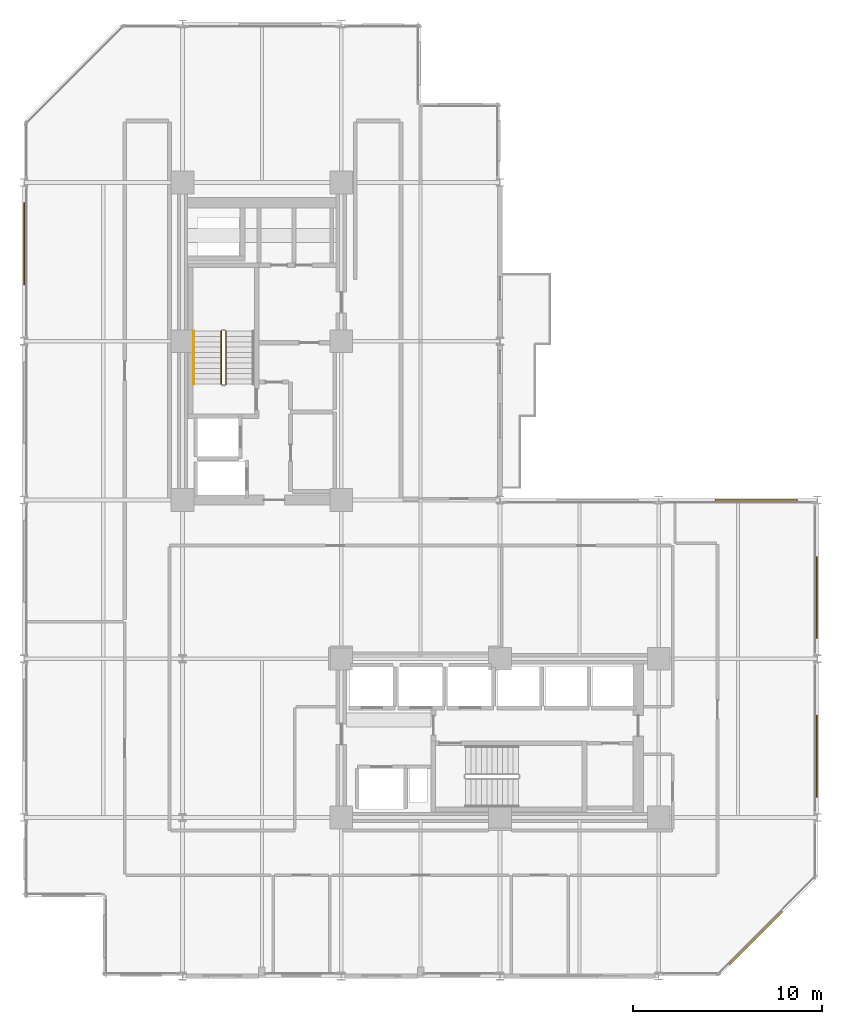
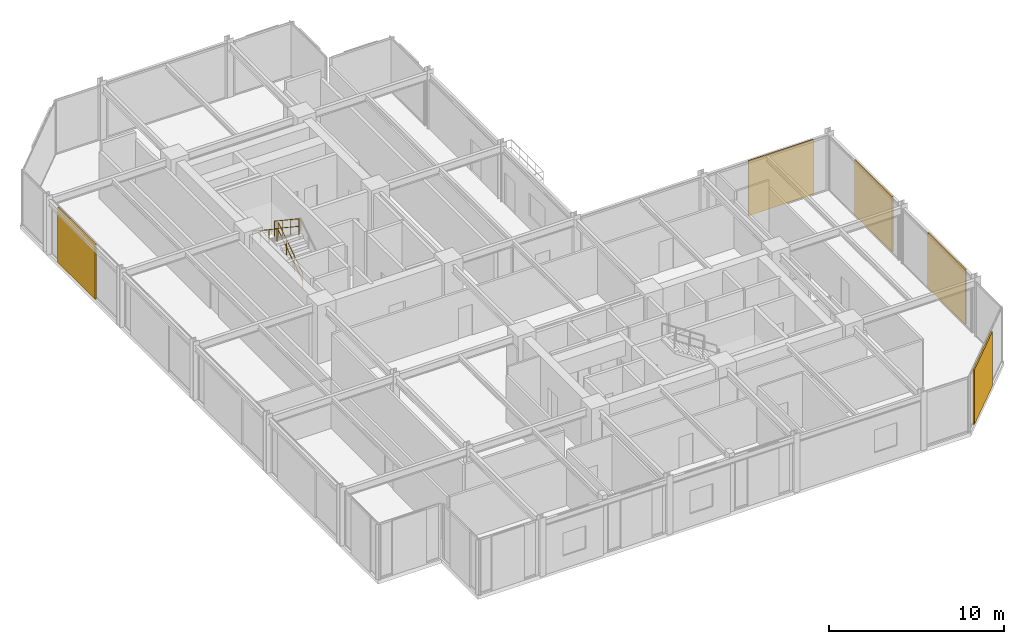
# One storey, part 28 of 29: 5 coverings, 3 railings.
"""IFC4 building model written with IfcOpenShell, lengths in metres."""

from ifc_helpers import new_model, si_unit, direction, frame, origin, origin_2d, place, context, subcontext, project, spatial, rectangle, circle, extrude, material, layer, layer_set, type_object, element, save


model = new_model("IFC4")

# Units and contexts
model_context = context("Model", 3, precision=1e-05, world=origin(), true_north=direction((0.0, 1.0)))
body_context = subcontext(model_context, "Body", "Model", "MODEL_VIEW")
ifc_project = project(units=[si_unit("LENGTHUNIT", "METRE"), si_unit("AREAUNIT", "SQUARE_METRE"), si_unit("VOLUMEUNIT", "CUBIC_METRE"), si_unit("PLANEANGLEUNIT", "RADIAN"), si_unit("MASSUNIT", "GRAM", prefix="KILO")], contexts=[model_context])

# Site, building, storey
site_placement = place(None, origin())
site = spatial("IfcSite", under=ifc_project, at=site_placement, CompositionType="ELEMENT")
building_placement = place(site_placement, origin())
building = spatial("IfcBuilding", under=site, at=building_placement, Name="Nerrivon Quay Data Exchange", CompositionType="ELEMENT")
storey_placement = place(building_placement, frame((0.0, 0.0, 125.39990234375)))
storey = spatial("IfcBuildingStorey", under=building, at=storey_placement, Name="L29", CompositionType="ELEMENT", Elevation=125.39990234375)

# Coverings
ifc_material_1 = material(Name="Architectural terracotta ceramic", Category="masonry")
ifc_layer = layer(ifc_material_1, 0.090087890625)
ifc_layer_set = layer_set([ifc_layer], Name="Architectural terracotta ceramic")
covering_type = type_object("IfcCoveringType", Name="COV-SCR-TERR", PredefinedType="CLADDING", material=ifc_layer_set)
covering_placement = place(storey_placement, frame((38.744140625, 2.0078125, 0.0), z_axis=(0.0, 0.0, 1.0), x_axis=(-0.707106781187, -0.707106781187, 0.0)))
element("IfcCovering", 1, at=covering_placement, inside=storey, type_object=covering_type, Name="L29 Perforated Terracotta SOLAR SCREEN Cassette", PredefinedType="CLADDING", context=body_context, shape_type="SweptSolid", body=[
    extrude(rectangle(XDim=3.970947265625, YDim=0.090087890625, at=origin_2d()), origin(), (0.0, 0.0, 1.0), 3.824951171875),
])
for number, where, z_axis, x_axis, name in (
    (2, (0.044921875, 38.760009765625, 0.0), (0.0, 0.0, 1.0), (0.0, 1.0, 0.0), "L29 Perforated Terracotta SOLAR SCREEN Cassette"),
    (3, (38.760009765625, 25.155029296875, 0.0), (0.0, 0.0, 1.0), (1.0, 0.0, 0.0), "L29 Perforated Terracotta SOLAR SCREEN Cassette"),
    (4, (41.955078125, 20.0400390625, 0.0), (0.0, 0.0, 1.0), (0.0, -1.0, 0.0), "L29 Perforated Terracotta SOLAR SCREEN Cassette"),
    (5, (41.955078125, 11.639892578125, 0.0), (0.0, 0.0, 1.0), (0.0, -1.0, 0.0), "L29 Perforated Terracotta SOLAR SCREEN Cassette"),
):
    element("IfcCovering", number, at=place(storey_placement, frame(where, z_axis=z_axis, x_axis=x_axis)), inside=storey, type_object=covering_type, Name=name, PredefinedType="CLADDING", context=body_context, shape_type="SweptSolid", body=[
        extrude(rectangle(XDim=4.320068359375, YDim=0.090087890625, at=origin_2d()), origin(), (0.0, 0.0, 1.0), 3.824951171875),
    ])

# Railings
ifc_material_2 = material(Name="Steel Grade C350L0 (350 MPa)", Category="steel")
railing_type_1 = type_object("IfcRailingType", Name="RAIL-HAND-HR1", PredefinedType="HANDRAIL", material=ifc_material_2)
railing_1_placement = place(storey_placement, frame((9.0, 34.1298828125, 2.236572265625)))
element("IfcRailing", 6, at=railing_1_placement, inside=storey, type_object=railing_type_1, Name="L29 ST01 stair handrail 2", PredefinedType="HANDRAIL", context=body_context, shape_type="SweptSolid", body=[
    extrude(circle(Radius=0.02392578125, at=origin_2d()), frame((0.0, 0.0, 0.8759765625), z_axis=(0.0, -0.832463268671, 0.554080234545), x_axis=(1.0, 0.0, 0.0)), (0.0, 0.0, 1.0), 3.36328125),
    extrude(circle(Radius=0.02099609375, at=origin_2d()), origin(), (0.0, 0.0, 1.0), 0.851806640625),
    extrude(circle(Radius=0.02099609375, at=origin_2d()), frame((0.0, -0.933349609375, 0.62109375)), (0.0, 0.0, 1.0), 0.851806640625),
    extrude(circle(Radius=0.02099609375, at=origin_2d()), frame((0.0, -1.866455078125, 1.242431640625)), (0.0, 0.0, 1.0), 0.851806640625),
    extrude(circle(Radius=0.02099609375, at=origin_2d()), frame((0.0, -2.7998046875, 1.863525390625)), (0.0, 0.0, 1.0), 0.851806640625),
])
railing_type_2 = type_object("IfcRailingType", Name="RAIL-STAIR-GR1", PredefinedType="BALUSTRADE", material=ifc_material_2)
railing_2_placement = place(storey_placement, frame((10.699951171875, 31.330078125, 0.1865234375)))
element("IfcRailing", 7, at=railing_2_placement, inside=storey, type_object=railing_type_2, Name="L29 ST01 stair guard 1", PredefinedType="BALUSTRADE", context=body_context, shape_type="SweptSolid", body=[
    extrude(circle(Radius=0.02392578125, at=origin_2d()), frame((0.0, 0.0, 1.076171875), z_axis=(0.0, 0.832463268671, 0.554080234545), x_axis=(-1.0, 0.0, 0.0)), (0.0, 0.0, 1.0), 3.36328125),
    extrude(circle(Radius=0.02392578125, at=origin_2d()), frame((0.0, 0.0, 0.550048828125), z_axis=(0.0, 0.832463268671, 0.554080234545), x_axis=(-1.0, 0.0, 0.0)), (0.0, 0.0, 1.0), 3.36328125),
    extrude(circle(Radius=0.02099609375, at=origin_2d()), origin(), (0.0, 0.0, 1.0), 1.052001953125),
    extrude(circle(Radius=0.02099609375, at=origin_2d()), frame((0.0, 0.933349609375, 0.62109375)), (0.0, 0.0, 1.0), 1.052001953125),
    extrude(circle(Radius=0.02099609375, at=origin_2d()), frame((0.0, 1.866455078125, 1.242431640625)), (0.0, 0.0, 1.0), 1.052001953125),
    extrude(circle(Radius=0.02099609375, at=origin_2d()), frame((0.0, 2.7998046875, 1.863525390625)), (0.0, 0.0, 1.0), 1.052001953125),
])
railing_3_placement = place(storey_placement, frame((10.449951171875, 34.1298828125, 2.236572265625)))
element("IfcRailing", 8, at=railing_3_placement, inside=storey, type_object=railing_type_2, Name="L29 ST01 stair guard 3", PredefinedType="BALUSTRADE", context=body_context, shape_type="SweptSolid", body=[
    extrude(circle(Radius=0.02392578125, at=origin_2d()), frame((0.0, 0.0, 1.076171875), z_axis=(0.0, -0.832463268671, 0.554080234545), x_axis=(1.0, 0.0, 0.0)), (0.0, 0.0, 1.0), 3.36328125),
    extrude(circle(Radius=0.02392578125, at=origin_2d()), frame((0.0, 0.0, 0.550048828125), z_axis=(0.0, -0.832463268671, 0.554080234545), x_axis=(1.0, 0.0, 0.0)), (0.0, 0.0, 1.0), 3.36328125),
    extrude(circle(Radius=0.02099609375, at=origin_2d()), origin(), (0.0, 0.0, 1.0), 1.052001953125),
    extrude(circle(Radius=0.02099609375, at=origin_2d()), frame((0.0, -0.933349609375, 0.62109375)), (0.0, 0.0, 1.0), 1.052001953125),
    extrude(circle(Radius=0.02099609375, at=origin_2d()), frame((0.0, -1.866455078125, 1.242431640625)), (0.0, 0.0, 1.0), 1.052001953125),
    extrude(circle(Radius=0.02099609375, at=origin_2d()), frame((0.0, -2.7998046875, 1.863525390625)), (0.0, 0.0, 1.0), 1.052001953125),
])

save(model, "model.ifc")
